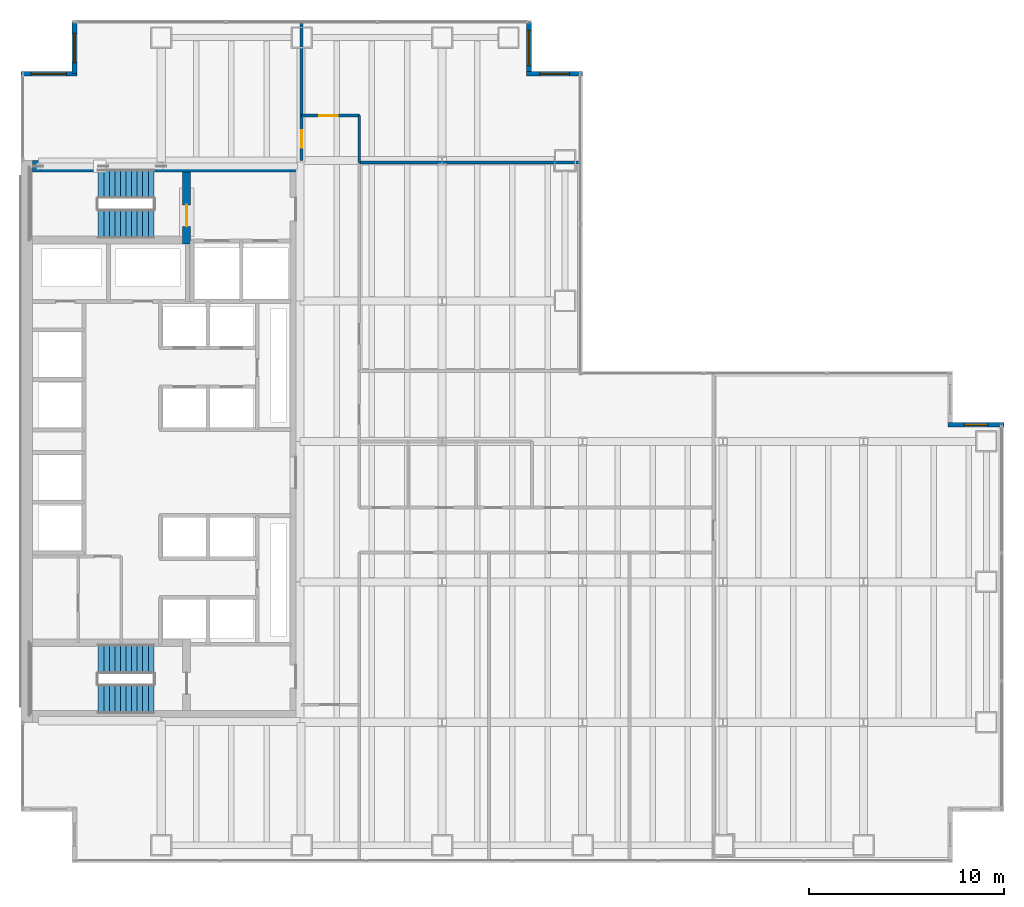
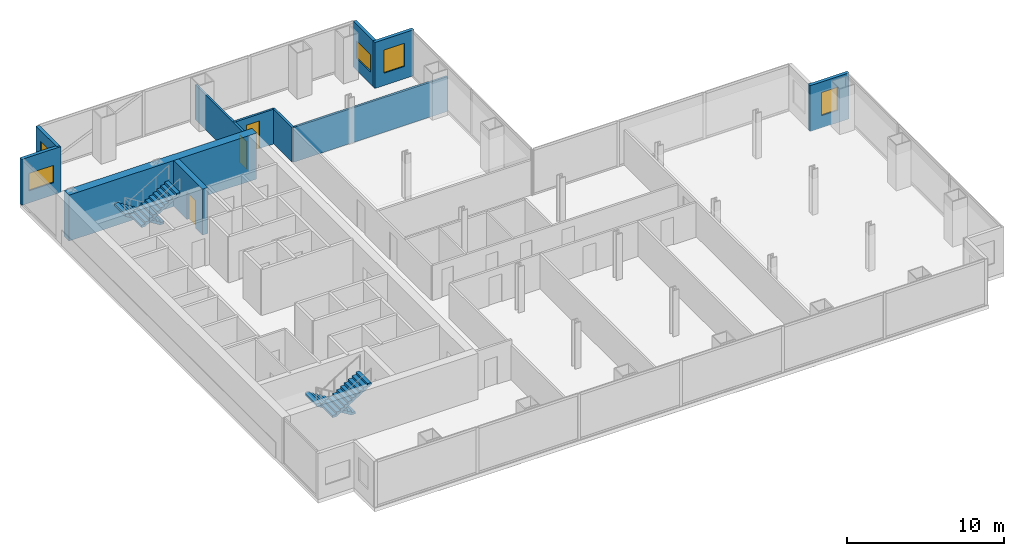
# One storey, part 22 of 25: 11 walls, 5 windows, 4 stair flights, 3 doors, 8 openings, 2 elements without a shape of their own.
"""IFC4 building model written with IfcOpenShell, lengths in metres."""

from ifc_helpers import new_model, si_unit, direction, frame, frame_2d, origin, place, context, subcontext, project, spatial, polyline, rectangle, outline, extrude, material, layer, layer_set, type_object, element, fill, aggregate, save


model = new_model("IFC4")

# Units and contexts
model_context = context("Model", 3, precision=1e-05, world=origin(), true_north=direction((0.0, 1.0)))
body_context = subcontext(model_context, "Body", "Model", "MODEL_VIEW")
ifc_project = project(units=[si_unit("LENGTHUNIT", "METRE"), si_unit("AREAUNIT", "SQUARE_METRE"), si_unit("VOLUMEUNIT", "CUBIC_METRE"), si_unit("PLANEANGLEUNIT", "RADIAN"), si_unit("MASSUNIT", "GRAM", prefix="KILO")], contexts=[model_context])

# Site, building, storey
site_placement = place(None, origin())
site = spatial("IfcSite", under=ifc_project, at=site_placement, CompositionType="ELEMENT")
building_placement = place(site_placement, origin())
building = spatial("IfcBuilding", under=site, at=building_placement, Name="Cobrela Telecom Tower", CompositionType="ELEMENT")
storey_placement = place(building_placement, frame((0.0, 0.0, 42.699951171875)))
storey = spatial("IfcBuildingStorey", under=building, at=storey_placement, Name="L10", CompositionType="ELEMENT", Elevation=42.699951171875)

# Wall
ifc_material_1 = material(Name="Concrete C50/60", Category="concrete")
ifc_layer_1 = layer(ifc_material_1, 0.60009765625)
ifc_layer_set_1 = layer_set([ifc_layer_1], Name="Concrete C50/60")
wall_type_1 = type_object("IfcWallType", Name="WALL-CORE-C50-600", PredefinedType="SHEAR", material=ifc_layer_set_1)
wall_1_placement = place(storey_placement, frame((0.60009765625, 35.699951171875, 0.0), z_axis=(0.0, 0.0, 1.0), x_axis=(1.0, 0.0, 0.0)))
element("IfcWall", 1, at=wall_1_placement, inside=storey, type_object=wall_type_1, Name="L10 North Core Shear Wall", PredefinedType="SHEAR", context=body_context, shape_type="SweptSolid", body=[
    extrude(rectangle(XDim=13.7998046875, YDim=0.60009765625, at=frame_2d((6.89990234375, 0.0))), origin(), (0.0, 0.0, 1.0), 3.570068359375),
])

# Wall, opening, window
ifc_material_2 = material(Name="Concrete C40/50", Category="concrete")
ifc_layer_2 = layer(ifc_material_2, 0.239990234375)
ifc_layer_set_2 = layer_set([ifc_layer_2], Name="Concrete C40/50")
wall_type_2 = type_object("IfcWallType", Name="WALL-EXT-300", PredefinedType="STANDARD", material=ifc_layer_set_2)
wall_2_placement = place(storey_placement, frame((0.0, 40.449951171875, 0.0), z_axis=(0.0, 0.0, 1.0), x_axis=(1.0, 0.0, 0.0)))
wall_2 = element("IfcWall", 2, at=wall_2_placement, inside=storey, type_object=wall_type_2, Name="L10 Insulated Facade Wall 05", PredefinedType="STANDARD", context=body_context, shape_type="SweptSolid", body=[
    extrude(rectangle(XDim=2.8701171875, YDim=0.239990234375, at=frame_2d((1.43505859375, 0.0))), origin(), (0.0, 0.0, 1.0), 3.570068359375),
])
opening_1_placement = place(wall_2_placement, frame((0.534912109375, 0.0, 0.949951171875)))
opening_1 = element("IfcOpeningElement", 3, at=opening_1_placement, cuts=wall_2, Name="Opening WN-27", PredefinedType="OPENING", context=body_context, shape_type="SweptSolid", body=[
    extrude(rectangle(XDim=1.800048828125, YDim=1.35009765625, at=frame_2d((0.89990234375, 0.675048828125))), frame((0.0, 0.1318359375, 0.0), z_axis=(0.0, -1.0, 0.0), x_axis=(1.0, 0.0, 0.0)), (0.0, 0.0, 1.0), 0.263916015625),
])
ifc_material_3 = material(Name="Solar-Control Bronze Low-E Glass", Category="glass")
window_type_1 = type_object("IfcWindowType", Name="WIN-CLER-1800", PartitioningType="SINGLE_PANEL", PredefinedType="WINDOW", material=ifc_material_3)
window_1_placement = place(opening_1_placement, origin())
window_1 = element("IfcWindow", 4, at=window_1_placement, inside=storey, type_object=window_type_1, Name="L10 Corner Notch Facade Window 042", OverallHeight=1.35009765625, OverallWidth=1.800048828125, PartitioningType="SINGLE_PANEL", PredefinedType="WINDOW", context=body_context, shape_type="SweptSolid", body=[
    extrude(rectangle(XDim=1.800048828125, YDim=1.35009765625, at=frame_2d((0.89990234375, 0.675048828125))), frame((0.0, 0.030029296875, 0.0), z_axis=(0.0, -1.0, 0.0), x_axis=(1.0, 0.0, 0.0)), (0.0, 0.0, 1.0), 0.06005859375),
])
fill(opening_1, window_1)

wall_3_placement = place(storey_placement, frame((2.75, 40.449951171875, 0.0), z_axis=(0.0, 0.0, 1.0), x_axis=(0.0, 1.0, 0.0)))
wall_3 = element("IfcWall", 5, at=wall_3_placement, inside=storey, type_object=wall_type_2, Name="L10 Insulated Facade Wall 06", PredefinedType="STANDARD", context=body_context, shape_type="SweptSolid", body=[
    extrude(rectangle(XDim=2.630126953125, YDim=0.239990234375, at=frame_2d((1.31494140625, 0.0))), origin(), (0.0, 0.0, 1.0), 3.570068359375),
])
opening_2_placement = place(wall_3_placement, frame((0.56494140625, 0.0, 0.949951171875)))
opening_2 = element("IfcOpeningElement", 6, at=opening_2_placement, cuts=wall_3, Name="Opening WN-45", PredefinedType="OPENING", context=body_context, shape_type="SweptSolid", body=[
    extrude(rectangle(XDim=1.5, YDim=1.800048828125, at=frame_2d((0.75, 0.89990234375))), frame((0.0, 0.1318359375, 0.0), z_axis=(0.0, -1.0, 0.0), x_axis=(1.0, 0.0, 0.0)), (0.0, 0.0, 1.0), 0.263916015625),
])
window_type_2 = type_object("IfcWindowType", Name="WIN-MOD-1500", PartitioningType="SINGLE_PANEL", PredefinedType="WINDOW", material=ifc_material_3)
window_2_placement = place(opening_2_placement, origin())
window_2 = element("IfcWindow", 7, at=window_2_placement, inside=storey, type_object=window_type_2, Name="L10 Corner Notch Facade Window 043", OverallHeight=1.800048828125, OverallWidth=1.5, PartitioningType="SINGLE_PANEL", PredefinedType="WINDOW", context=body_context, shape_type="SweptSolid", body=[
    extrude(rectangle(XDim=1.5, YDim=1.800048828125, at=frame_2d((0.75, 0.89990234375))), frame((0.0, 0.030029296875, 0.0), z_axis=(0.0, -1.0, 0.0), x_axis=(1.0, 0.0, 0.0)), (0.0, 0.0, 1.0), 0.06005859375),
])
fill(opening_2, window_2)

wall_4_placement = place(storey_placement, frame((26.050048828125, 43.080078125, 0.0), z_axis=(0.0, 0.0, 1.0), x_axis=(0.0, -1.0, 0.0)))
wall_4 = element("IfcWall", 8, at=wall_4_placement, inside=storey, type_object=wall_type_2, Name="L10 Insulated Facade Wall 08", PredefinedType="STANDARD", context=body_context, shape_type="SweptSolid", body=[
    extrude(rectangle(XDim=2.630126953125, YDim=0.239990234375, at=frame_2d((1.31494140625, 0.0))), origin(), (0.0, 0.0, 1.0), 3.570068359375),
])
opening_3_placement = place(wall_4_placement, frame((0.4150390625, 0.0, 0.949951171875)))
opening_3 = element("IfcOpeningElement", 9, at=opening_3_placement, cuts=wall_4, Name="Opening WN-27", PredefinedType="OPENING", context=body_context, shape_type="SweptSolid", body=[
    extrude(rectangle(XDim=1.800048828125, YDim=1.35009765625, at=frame_2d((0.89990234375, 0.675048828125))), frame((0.0, 0.1318359375, 0.0), z_axis=(0.0, -1.0, 0.0), x_axis=(1.0, 0.0, 0.0)), (0.0, 0.0, 1.0), 0.263916015625),
])
window_3_placement = place(opening_3_placement, origin())
window_3 = element("IfcWindow", 10, at=window_3_placement, inside=storey, type_object=window_type_1, Name="L10 Corner Notch Facade Window 044", OverallHeight=1.35009765625, OverallWidth=1.800048828125, PartitioningType="SINGLE_PANEL", PredefinedType="WINDOW", context=body_context, shape_type="SweptSolid", body=[
    extrude(rectangle(XDim=1.800048828125, YDim=1.35009765625, at=frame_2d((0.89990234375, 0.675048828125))), frame((0.0, 0.030029296875, 0.0), z_axis=(0.0, -1.0, 0.0), x_axis=(1.0, 0.0, 0.0)), (0.0, 0.0, 1.0), 0.06005859375),
])
fill(opening_3, window_3)

wall_5_placement = place(storey_placement, frame((25.929931640625, 40.449951171875, 0.0), z_axis=(0.0, 0.0, 1.0), x_axis=(1.0, 0.0, 0.0)))
wall_5 = element("IfcWall", 11, at=wall_5_placement, inside=storey, type_object=wall_type_2, Name="L10 Insulated Facade Wall 09", PredefinedType="STANDARD", context=body_context, shape_type="SweptSolid", body=[
    extrude(rectangle(XDim=2.8701171875, YDim=0.239990234375, at=frame_2d((1.43505859375, 0.0))), origin(), (0.0, 0.0, 1.0), 3.570068359375),
])
opening_4_placement = place(wall_5_placement, frame((0.68505859375, 0.0, 0.949951171875)))
opening_4 = element("IfcOpeningElement", 12, at=opening_4_placement, cuts=wall_5, Name="Opening WN-45", PredefinedType="OPENING", context=body_context, shape_type="SweptSolid", body=[
    extrude(rectangle(XDim=1.5, YDim=1.800048828125, at=frame_2d((0.75, 0.89990234375))), frame((0.0, 0.1318359375, 0.0), z_axis=(0.0, -1.0, 0.0), x_axis=(1.0, 0.0, 0.0)), (0.0, 0.0, 1.0), 0.263916015625),
])
window_4_placement = place(opening_4_placement, origin())
window_4 = element("IfcWindow", 13, at=window_4_placement, inside=storey, type_object=window_type_2, Name="L10 Corner Notch Facade Window 045", OverallHeight=1.800048828125, OverallWidth=1.5, PartitioningType="SINGLE_PANEL", PredefinedType="WINDOW", context=body_context, shape_type="SweptSolid", body=[
    extrude(rectangle(XDim=1.5, YDim=1.800048828125, at=frame_2d((0.75, 0.89990234375))), frame((0.0, 0.030029296875, 0.0), z_axis=(0.0, -1.0, 0.0), x_axis=(1.0, 0.0, 0.0)), (0.0, 0.0, 1.0), 0.06005859375),
])
fill(opening_4, window_4)

wall_6_placement = place(storey_placement, frame((47.530029296875, 22.449951171875, 0.0), z_axis=(0.0, 0.0, 1.0), x_axis=(1.0, 0.0, 0.0)))
wall_6 = element("IfcWall", 14, at=wall_6_placement, inside=storey, type_object=wall_type_2, Name="L10 Insulated Facade Wall 13", PredefinedType="STANDARD", context=body_context, shape_type="SweptSolid", body=[
    extrude(rectangle(XDim=2.869873046875, YDim=0.239990234375, at=frame_2d((1.43505859375, 0.0))), origin(), (0.0, 0.0, 1.0), 3.570068359375),
])
opening_5_placement = place(wall_6_placement, frame((0.8349609375, 0.0, 0.949951171875)))
opening_5 = element("IfcOpeningElement", 15, at=opening_5_placement, cuts=wall_6, Name="Opening WN-19", PredefinedType="OPENING", context=body_context, shape_type="SweptSolid", body=[
    extrude(rectangle(XDim=1.199951171875, YDim=1.800048828125, at=frame_2d((0.60009765625, 0.89990234375))), frame((0.0, 0.1318359375, 0.0), z_axis=(0.0, -1.0, 0.0), x_axis=(1.0, 0.0, 0.0)), (0.0, 0.0, 1.0), 0.263916015625),
])
window_type_3 = type_object("IfcWindowType", Name="WIN-MOD-1200", PartitioningType="SINGLE_PANEL", PredefinedType="WINDOW", material=ifc_material_3)
window_5_placement = place(opening_5_placement, origin())
window_5 = element("IfcWindow", 16, at=window_5_placement, inside=storey, type_object=window_type_3, Name="L10 Corner Notch Facade Window 047", OverallHeight=1.800048828125, OverallWidth=1.199951171875, PartitioningType="SINGLE_PANEL", PredefinedType="WINDOW", context=body_context, shape_type="SweptSolid", body=[
    extrude(rectangle(XDim=1.199951171875, YDim=1.800048828125, at=frame_2d((0.60009765625, 0.89990234375))), frame((0.0, 0.030029296875, 0.0), z_axis=(0.0, -1.0, 0.0), x_axis=(1.0, 0.0, 0.0)), (0.0, 0.0, 1.0), 0.06005859375),
])
fill(opening_5, window_5)

# Wall, opening, door
ifc_material_4 = material(Name="Fire-Rated Gypsum Plasterboard")
ifc_layer_3 = layer(ifc_material_4, 0.14990234375)
ifc_layer_set_3 = layer_set([ifc_layer_3], Name="Fire-Rated Gypsum Plasterboard")
wall_type_3 = type_object("IfcWallType", Name="WALL-PART-150", PredefinedType="PARTITIONING", material=ifc_layer_set_3)
wall_7_placement = place(storey_placement, frame((14.39990234375, 36.0, 0.0), z_axis=(0.0, 0.0, 1.0), x_axis=(0.0, 1.0, 0.0)))
wall_7 = element("IfcWall", 17, at=wall_7_placement, inside=storey, type_object=wall_type_3, Name="L10 Interior Partition W-CN-W", PredefinedType="PARTITIONING", context=body_context, shape_type="SweptSolid", body=[
    extrude(rectangle(XDim=7.080078125, YDim=0.14990234375, at=frame_2d((3.5400390625, 0.0))), origin(), (0.0, 0.0, 1.0), 2.698974609375),
])
opening_6_placement = place(wall_7_placement, frame((0.64990234375, 0.0, 0.0)))
opening_6 = element("IfcOpeningElement", 18, at=opening_6_placement, cuts=wall_7, Name="Opening DR-41", PredefinedType="OPENING", context=body_context, shape_type="SweptSolid", body=[
    extrude(rectangle(XDim=0.89990234375, YDim=2.14990234375, at=frame_2d((0.449951171875, 1.074951171875))), frame((0.0, 0.0869140625, 0.0), z_axis=(0.0, -1.0, 0.0), x_axis=(1.0, 0.0, 0.0)), (0.0, 0.0, 1.0), 0.173828125),
])
ifc_material_5 = material(Name="Solid Engineered Oak Timber", Category="wood")
door_type_1 = type_object("IfcDoorType", Name="DOOR-INT-900", OperationType="SINGLE_SWING_LEFT", PredefinedType="DOOR", material=ifc_material_5)
door_1_placement = place(opening_6_placement, origin())
door_1 = element("IfcDoor", 19, at=door_1_placement, inside=storey, type_object=door_type_1, Name="L10 Door DR-41", OperationType="SINGLE_SWING_LEFT", OverallHeight=2.14990234375, OverallWidth=0.89990234375, PredefinedType="DOOR", context=body_context, shape_type="SweptSolid", body=[
    extrude(rectangle(XDim=0.89990234375, YDim=2.14990234375, at=frame_2d((0.449951171875, 1.074951171875))), frame((0.0, 0.02490234375, 0.0), z_axis=(0.0, -1.0, 0.0), x_axis=(1.0, 0.0, 0.0)), (0.0, 0.0, 1.0), 0.050048828125),
])
fill(opening_6, door_1)

# Wall
wall_8_placement = place(storey_placement, frame((17.35009765625, 35.89990234375, 0.0), z_axis=(0.0, 0.0, 1.0), x_axis=(0.0, 1.0, 0.0)))
element("IfcWall", 20, at=wall_8_placement, inside=storey, type_object=wall_type_3, Name="L10 Interior Partition W-CN-E", PredefinedType="PARTITIONING", context=body_context, shape_type="SweptSolid", body=[
    extrude(rectangle(XDim=2.400146484375, YDim=0.14990234375, at=frame_2d((1.2001953125, 0.0))), origin(), (0.0, 0.0, 1.0), 2.698974609375),
])

# Wall, opening, door
wall_9_placement = place(storey_placement, frame((14.39990234375, 38.300048828125, 0.0), z_axis=(0.0, 0.0, 1.0), x_axis=(1.0, 0.0, 0.0)))
wall_9 = element("IfcWall", 21, at=wall_9_placement, inside=storey, type_object=wall_type_3, Name="L10 Interior Partition W-CN-T", PredefinedType="PARTITIONING", context=body_context, shape_type="SweptSolid", body=[
    extrude(rectangle(XDim=2.9501953125, YDim=0.14990234375, at=frame_2d((1.47509765625, 0.0))), origin(), (0.0, 0.0, 1.0), 2.698974609375),
])
opening_7_placement = place(wall_9_placement, frame((0.89990234375, 0.0, 0.0)))
opening_7 = element("IfcOpeningElement", 22, at=opening_7_placement, cuts=wall_9, Name="Opening DR-67", PredefinedType="OPENING", context=body_context, shape_type="SweptSolid", body=[
    extrude(rectangle(XDim=0.949951171875, YDim=2.14990234375, at=frame_2d((0.47509765625, 1.074951171875))), frame((0.0, 0.0869140625, 0.0), z_axis=(0.0, -1.0, 0.0), x_axis=(1.0, 0.0, 0.0)), (0.0, 0.0, 1.0), 0.173828125),
])
door_type_2 = type_object("IfcDoorType", Name="DOOR-INT-950", OperationType="SINGLE_SWING_LEFT", PredefinedType="DOOR", material=ifc_material_5)
door_2_placement = place(opening_7_placement, origin())
door_2 = element("IfcDoor", 23, at=door_2_placement, inside=storey, type_object=door_type_2, Name="L10 Door DR-67", OperationType="SINGLE_SWING_RIGHT", OverallHeight=2.14990234375, OverallWidth=0.949951171875, PredefinedType="DOOR", context=body_context, shape_type="SweptSolid", body=[
    extrude(rectangle(XDim=0.949951171875, YDim=2.14990234375, at=frame_2d((0.47509765625, 1.074951171875))), frame((0.0, 0.02490234375, 0.0), z_axis=(0.0, -1.0, 0.0), x_axis=(1.0, 0.0, 0.0)), (0.0, 0.0, 1.0), 0.050048828125),
])
fill(opening_7, door_2)

# Wall
wall_10_placement = place(storey_placement, frame((17.35009765625, 35.89990234375, 0.0), z_axis=(0.0, 0.0, 1.0), x_axis=(1.0, 0.0, 0.0)))
element("IfcWall", 24, at=wall_10_placement, inside=storey, type_object=wall_type_3, Name="L10 Interior Partition W-NW2-S", PredefinedType="PARTITIONING", context=body_context, shape_type="SweptSolid", body=[
    extrude(rectangle(XDim=11.329833984375, YDim=0.14990234375, at=frame_2d((5.6650390625, 0.0))), origin(), (0.0, 0.0, 1.0), 2.698974609375),
])

# Wall, opening, door
ifc_layer_4 = layer(ifc_material_2, 0.39990234375)
ifc_layer_set_4 = layer_set([ifc_layer_4], Name="Concrete C40/50")
wall_type_4 = type_object("IfcWallType", Name="WALL-SHAFT-C40-400", PredefinedType="SHEAR", material=ifc_layer_set_4)
wall_11_placement = place(storey_placement, frame((8.5, 31.719970703125, 0.0), z_axis=(0.0, 0.0, 1.0), x_axis=(0.0, 1.0, 0.0)))
wall_11 = element("IfcWall", 25, at=wall_11_placement, inside=storey, type_object=wall_type_4, Name="L10 North Stair Lobby Shear Wall", PredefinedType="SHEAR", context=body_context, shape_type="SweptSolid", body=[
    extrude(rectangle(XDim=3.679931640625, YDim=0.39990234375, at=frame_2d((1.83984375, 0.0))), origin(), (0.0, 0.0, 1.0), 3.570068359375),
])
opening_8_placement = place(wall_11_placement, frame((0.89990234375, 0.0, 0.0)))
opening_8 = element("IfcOpeningElement", 26, at=opening_8_placement, cuts=wall_11, Name="Opening DR-59", PredefinedType="OPENING", context=body_context, shape_type="SweptSolid", body=[
    extrude(rectangle(XDim=1.10009765625, YDim=2.14990234375, at=frame_2d((0.550048828125, 1.074951171875))), frame((0.0, 0.2119140625, 0.0), z_axis=(0.0, -1.0, 0.0), x_axis=(1.0, 0.0, 0.0)), (0.0, 0.0, 1.0), 0.423828125),
])
ifc_material_6 = material(Name="Steel ASTM A36", Category="steel")
door_type_3 = type_object("IfcDoorType", Name="DOOR-FD60-1100", OperationType="SINGLE_SWING_LEFT", PredefinedType="DOOR", material=ifc_material_6)
door_3_placement = place(opening_8_placement, origin())
door_3 = element("IfcDoor", 27, at=door_3_placement, inside=storey, type_object=door_type_3, Name="L10 Door DR-59", OperationType="SINGLE_SWING_RIGHT", OverallHeight=2.14990234375, OverallWidth=1.10009765625, PredefinedType="DOOR", context=body_context, shape_type="SweptSolid", body=[
    extrude(rectangle(XDim=1.10009765625, YDim=2.14990234375, at=frame_2d((0.550048828125, 1.074951171875))), frame((0.0, 0.02490234375, 0.0), z_axis=(0.0, -1.0, 0.0), x_axis=(1.0, 0.0, 0.0)), (0.0, 0.0, 1.0), 0.050048828125),
])
fill(opening_8, door_3)

# Stair, stair flights
stair_type = type_object("IfcStairType", Name="STAIR-CORE", PredefinedType="HALF_TURN_STAIR", material=ifc_material_2)
stair_1_placement = place(storey_placement, origin())
stair_1 = element("IfcStair", 28, at=stair_1_placement, inside=storey, type_object=stair_type, Name="L10 Smokeproof Exit Stair ST1", PredefinedType="HALF_TURN_STAIR")
stair_flight_type = type_object("IfcStairFlightType", Name="FLIGHT-CORE", PredefinedType="STRAIGHT", material=ifc_material_2)
stair_flight_1_placement = place(storey_placement, frame((6.820068359375, 34.800048828125, 0.0), z_axis=(0.0, 0.0, 1.0), x_axis=(-1.0, 0.0, 0.0)))
stair_flight_1 = element("IfcStairFlight", 29, at=stair_flight_1_placement, type_object=stair_flight_type, Name="ST1 flight 1", NumberOfRisers=11, NumberOfTreads=10, PredefinedType="STRAIGHT", RiserHeight=0.175, TreadLength=0.285, context=body_context, shape_type="SweptSolid", body=[
    extrude(outline(polyline([(0.0, 0.0), (0.0, 0.175048828125), (0.284912109375, 0.175048828125), (0.284912109375, 0.35009765625), (0.570068359375, 0.35009765625), (0.570068359375, 0.52490234375), (0.85498046875, 0.52490234375), (0.85498046875, 0.699951171875), (1.139892578125, 0.699951171875), (1.139892578125, 0.875), (1.425048828125, 0.875), (1.425048828125, 1.050048828125), (1.7099609375, 1.050048828125), (1.7099609375, 1.22509765625), (1.9951171875, 1.22509765625), (1.9951171875, 1.39990234375), (2.280029296875, 1.39990234375), (2.280029296875, 1.574951171875), (2.56494140625, 1.574951171875), (2.56494140625, 1.75), (2.85009765625, 1.75), (2.85009765625, 1.925048828125), (2.85009765625, 1.573974609375), (0.286376953125, 0.0), (0.0, 0.0)])), frame((0.0, 0.75, 0.0), z_axis=(0.0, -1.0, 0.0), x_axis=(1.0, 0.0, 0.0)), (0.0, 0.0, 1.0), 1.5),
])
stair_flight_2_placement = place(storey_placement, frame((3.969970703125, 32.75, 1.925048828125), z_axis=(0.0, 0.0, 1.0), x_axis=(1.0, 0.0, 0.0)))
stair_flight_2 = element("IfcStairFlight", 30, at=stair_flight_2_placement, type_object=stair_flight_type, Name="ST1 flight 2", NumberOfRisers=11, NumberOfTreads=10, PredefinedType="STRAIGHT", RiserHeight=0.175, TreadLength=0.285, context=body_context, shape_type="SweptSolid", body=[
    extrude(outline(polyline([(0.0, 0.0), (0.0, 0.175048828125), (0.284912109375, 0.175048828125), (0.284912109375, 0.35009765625), (0.570068359375, 0.35009765625), (0.570068359375, 0.52490234375), (0.85498046875, 0.52490234375), (0.85498046875, 0.699951171875), (1.139892578125, 0.699951171875), (1.139892578125, 0.875), (1.425048828125, 0.875), (1.425048828125, 1.050048828125), (1.7099609375, 1.050048828125), (1.7099609375, 1.22509765625), (1.9951171875, 1.22509765625), (1.9951171875, 1.39990234375), (2.280029296875, 1.39990234375), (2.280029296875, 1.574951171875), (2.56494140625, 1.574951171875), (2.56494140625, 1.75), (2.85009765625, 1.75), (2.85009765625, 1.925048828125), (2.85009765625, 1.573974609375), (0.286376953125, 0.0), (0.0, 0.0)])), frame((0.0, 0.75, 0.0), z_axis=(0.0, -1.0, 0.0), x_axis=(1.0, 0.0, 0.0)), (0.0, 0.0, 1.0), 1.5),
])
aggregate(stair_1, [stair_flight_1, stair_flight_2])

stair_2_placement = place(storey_placement, origin())
stair_2 = element("IfcStair", 31, at=stair_2_placement, inside=storey, type_object=stair_type, Name="L10 Smokeproof Exit Stair ST2", PredefinedType="HALF_TURN_STAIR")
stair_flight_3_placement = place(storey_placement, frame((6.820068359375, 10.449951171875, 0.0), z_axis=(0.0, 0.0, 1.0), x_axis=(-1.0, 0.0, 0.0)))
stair_flight_3 = element("IfcStairFlight", 32, at=stair_flight_3_placement, type_object=stair_flight_type, Name="ST2 flight 1", NumberOfRisers=11, NumberOfTreads=10, PredefinedType="STRAIGHT", RiserHeight=0.175, TreadLength=0.285, context=body_context, shape_type="SweptSolid", body=[
    extrude(outline(polyline([(0.0, 0.0), (0.0, 0.175048828125), (0.284912109375, 0.175048828125), (0.284912109375, 0.35009765625), (0.570068359375, 0.35009765625), (0.570068359375, 0.52490234375), (0.85498046875, 0.52490234375), (0.85498046875, 0.699951171875), (1.139892578125, 0.699951171875), (1.139892578125, 0.875), (1.425048828125, 0.875), (1.425048828125, 1.050048828125), (1.7099609375, 1.050048828125), (1.7099609375, 1.22509765625), (1.9951171875, 1.22509765625), (1.9951171875, 1.39990234375), (2.280029296875, 1.39990234375), (2.280029296875, 1.574951171875), (2.56494140625, 1.574951171875), (2.56494140625, 1.75), (2.85009765625, 1.75), (2.85009765625, 1.925048828125), (2.85009765625, 1.573974609375), (0.286376953125, 0.0), (0.0, 0.0)])), frame((0.0, 0.75, 0.0), z_axis=(0.0, -1.0, 0.0), x_axis=(1.0, 0.0, 0.0)), (0.0, 0.0, 1.0), 1.5),
])
stair_flight_4_placement = place(storey_placement, frame((3.969970703125, 8.39990234375, 1.925048828125), z_axis=(0.0, 0.0, 1.0), x_axis=(1.0, 0.0, 0.0)))
stair_flight_4 = element("IfcStairFlight", 33, at=stair_flight_4_placement, type_object=stair_flight_type, Name="ST2 flight 2", NumberOfRisers=11, NumberOfTreads=10, PredefinedType="STRAIGHT", RiserHeight=0.175, TreadLength=0.285, context=body_context, shape_type="SweptSolid", body=[
    extrude(outline(polyline([(0.0, 0.0), (0.0, 0.175048828125), (0.284912109375, 0.175048828125), (0.284912109375, 0.35009765625), (0.570068359375, 0.35009765625), (0.570068359375, 0.52490234375), (0.85498046875, 0.52490234375), (0.85498046875, 0.699951171875), (1.139892578125, 0.699951171875), (1.139892578125, 0.875), (1.425048828125, 0.875), (1.425048828125, 1.050048828125), (1.7099609375, 1.050048828125), (1.7099609375, 1.22509765625), (1.9951171875, 1.22509765625), (1.9951171875, 1.39990234375), (2.280029296875, 1.39990234375), (2.280029296875, 1.574951171875), (2.56494140625, 1.574951171875), (2.56494140625, 1.75), (2.85009765625, 1.75), (2.85009765625, 1.925048828125), (2.85009765625, 1.573974609375), (0.286376953125, 0.0), (0.0, 0.0)])), frame((0.0, 0.75, 0.0), z_axis=(0.0, -1.0, 0.0), x_axis=(1.0, 0.0, 0.0)), (0.0, 0.0, 1.0), 1.5),
])
aggregate(stair_2, [stair_flight_3, stair_flight_4])

save(model, "model.ifc")
